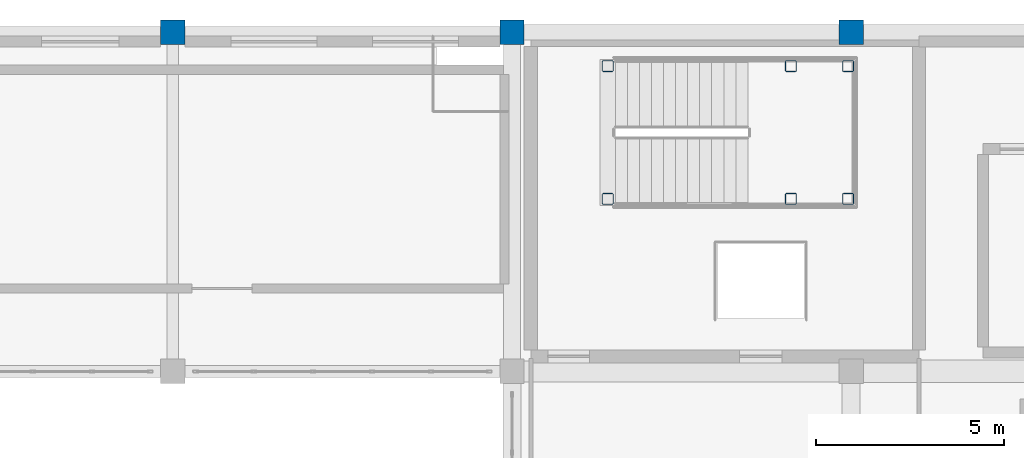
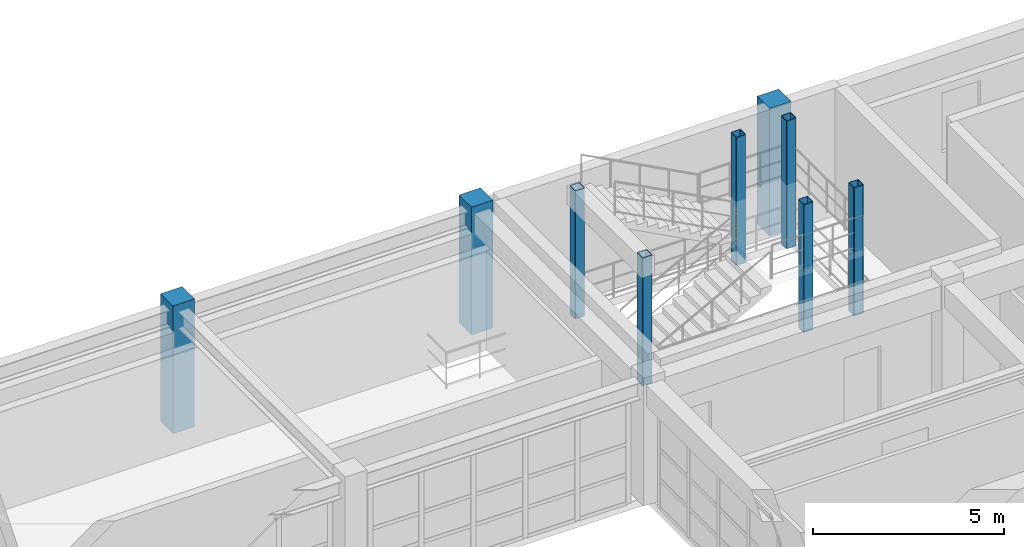
# One storey, part 7 of 110: 9 columns.
"""IFC4 building model written with IfcOpenShell, lengths in metres."""

from ifc_helpers import new_model, si_unit, direction, frame, origin, origin_2d, place, context, subcontext, project, spatial, rectangle, hollow_rectangle, extrude, material, material_profile, profile_set, type_object, element, save


model = new_model("IFC4")

# Units and contexts
model_context = context("Model", 3, precision=1e-05, world=origin(), true_north=direction((0.0, 1.0)))
body_context = subcontext(model_context, "Body", "Model", "MODEL_VIEW")
ifc_project = project(units=[si_unit("LENGTHUNIT", "METRE"), si_unit("AREAUNIT", "SQUARE_METRE"), si_unit("VOLUMEUNIT", "CUBIC_METRE"), si_unit("PLANEANGLEUNIT", "RADIAN"), si_unit("MASSUNIT", "GRAM", prefix="KILO")], contexts=[model_context])

# Site, building, storey
site_placement = place(None, origin())
site = spatial("IfcSite", under=ifc_project, at=site_placement, CompositionType="ELEMENT")
building_placement = place(site_placement, origin())
building = spatial("IfcBuilding", under=site, at=building_placement, Name="Miravela Opera House", CompositionType="ELEMENT")
storey_placement = place(building_placement, frame((0.0, 0.0, 13.60009765625)))
storey = spatial("IfcBuildingStorey", under=building, at=storey_placement, Name="L03", CompositionType="ELEMENT", Elevation=13.60009765625)

# Columns
ifc_material_1 = material(Name="Hollow structural steel ASTM A500 Gr. C", Category="steel")
ifc_material_profile_1 = material_profile(ifc_material_1, hollow_rectangle(XDim=0.300048828125, YDim=0.300048828125, WallThickness=0.01611328125, InnerFilletRadius=0.01611328125, OuterFilletRadius=0.031982421875, at=origin_2d()), Name="HSS300X300X16")
ifc_profile_set_1 = profile_set([ifc_material_profile_1])
column_type_1 = type_object("IfcColumnType", Name="STR-COL-HSS300", PredefinedType="COLUMN", material=ifc_profile_set_1)
for number, where, z_axis, x_axis, name in (
    (1, (65.5400390625, 107.580078125, 0.0), (0.0, 0.0, 1.0), (1.0, 0.0, 0.0), "Stair K5 Landing Support Column 1 (L03)"),
    (2, (65.5400390625, 111.10009765625, 0.0), (0.0, 0.0, 1.0), (1.0, 0.0, 0.0), "Stair K5 Landing Support Column 2 (L03)"),
    (3, (70.39990234375, 107.580078125, 0.0), (0.0, 0.0, 1.0), (1.0, 0.0, 0.0), "Stair K5 Landing Support Column 3 (L03)"),
    (4, (70.39990234375, 111.10009765625, 0.0), (0.0, 0.0, 1.0), (1.0, 0.0, 0.0), "Stair K5 Landing Support Column 4 (L03)"),
    (5, (71.919921875, 107.580078125, 0.0), (0.0, 0.0, 1.0), (1.0, 0.0, 0.0), "Stair K5 Landing Support Column 5 (L03)"),
    (6, (71.919921875, 111.10009765625, 0.0), (0.0, 0.0, 1.0), (1.0, 0.0, 0.0), "Stair K5 Landing Support Column 6 (L03)"),
):
    element("IfcColumn", number, at=place(storey_placement, frame(where, z_axis=z_axis, x_axis=x_axis)), inside=storey, type_object=column_type_1, Name=name, PredefinedType="COLUMN", context=body_context, shape_type="SweptSolid", body=[
        extrude(hollow_rectangle(XDim=0.300048828125, YDim=0.300048828125, WallThickness=0.01611328125, InnerFilletRadius=0.01611328125, OuterFilletRadius=0.031982421875, at=origin_2d()), origin(), (0.0, 0.0, 1.0), 4.079833984375),
    ])
ifc_material_2 = material(Name="Concrete C35/45", Category="concrete")
ifc_material_profile_2 = material_profile(ifc_material_2, rectangle(XDim=0.64990234375, YDim=0.64990234375, at=origin_2d()), Name="RC-COL-650X650")
ifc_profile_set_2 = profile_set([ifc_material_profile_2])
column_type_2 = type_object("IfcColumnType", Name="STR-COL-RC650", PredefinedType="COLUMN", material=ifc_profile_set_2)
for number, where, z_axis, x_axis, name in (
    (7, (54.0, 112.0, 0.0), (0.0, 0.0, 1.0), (1.0, 0.0, 0.0), "Column C-7M (L03)"),
    (8, (63.0, 112.0, 0.0), (0.0, 0.0, 1.0), (1.0, 0.0, 0.0), "Column C-8M (L03)"),
    (9, (72.0, 112.0, 0.0), (0.0, 0.0, 1.0), (1.0, 0.0, 0.0), "Column C-9M (L03)"),
):
    element("IfcColumn", number, at=place(storey_placement, frame(where, z_axis=z_axis, x_axis=x_axis)), inside=storey, type_object=column_type_2, Name=name, PredefinedType="COLUMN", context=body_context, shape_type="SweptSolid", body=[
        extrude(rectangle(XDim=0.64990234375, YDim=0.64990234375, at=origin_2d()), origin(), (0.0, 0.0, 1.0), 4.079833984375),
    ])

save(model, "model.ifc")
